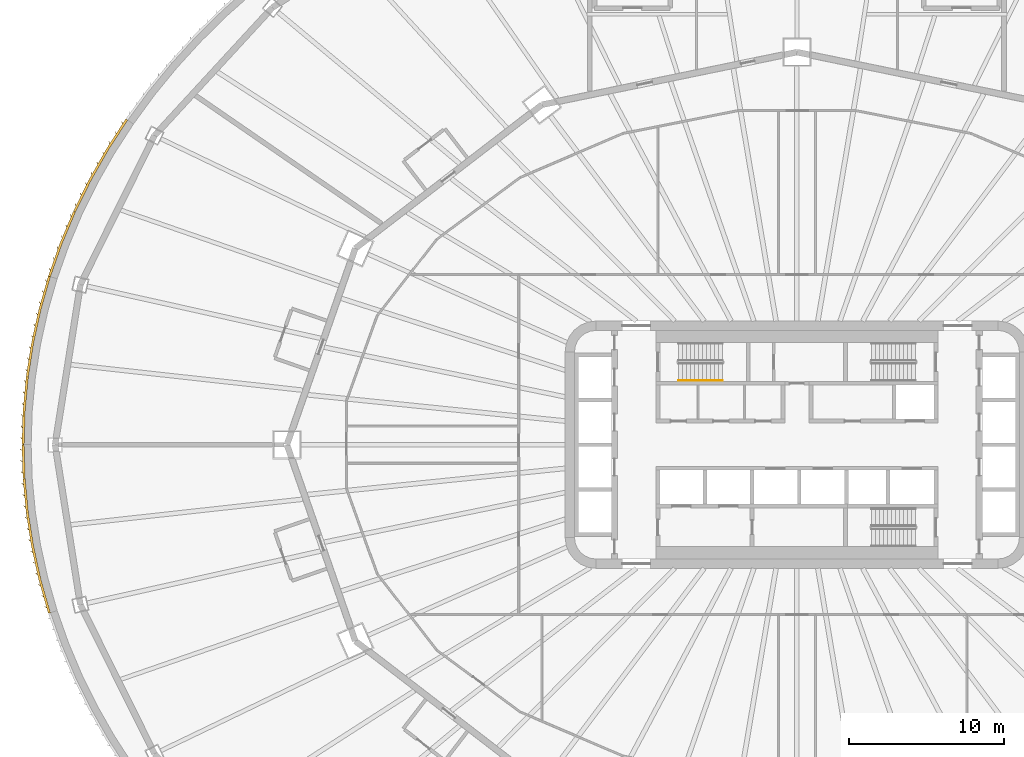
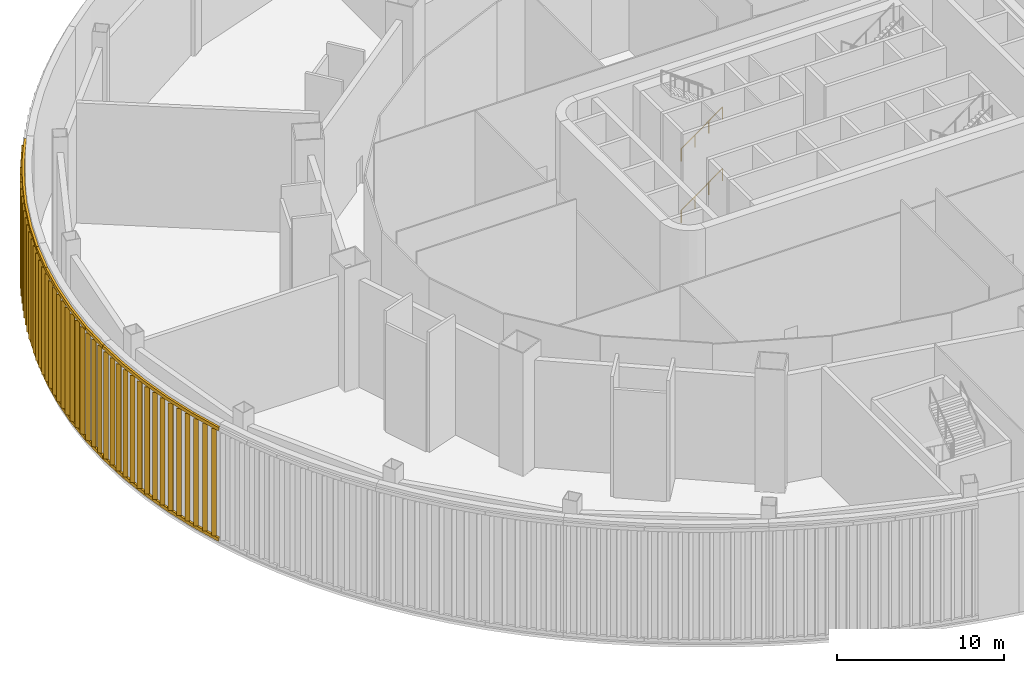
# One storey, part 29 of 35: 3 shading devices, 2 railings.
"""IFC4 building model written with IfcOpenShell, lengths in metres."""

import ifcopenshell
import ifcopenshell.guid

model = None  # the IFC model being written
_history = None  # IfcOwnerHistory: only IFC2X3 demands one
_inside = {}  # id of a spatial element -> (the spatial element, [elements in it])
_under = {}  # id of a project, library or spatial element -> (it, [spatial elements below it])
_declared = {}  # id of a project -> (the project, [libraries it declares])
_typed = {}  # id of a type object -> (the type object, [elements of that type])
_made_of = {}  # id of a material, layer set ... -> (it, [elements and type objects made of it])


def new_model(schema):
    """Start an empty IFC model of exactly this schema.

    Asked for "IFC4X3", IfcOpenShell would pick the latest addendum, in which some entities
    have other attributes; the version numbers below select the first issue.
    IFC2X3 requires an IfcOwnerHistory on every rooted entity: one is made here for all.
    """
    global model, _history
    if schema == "IFC4X3":
        model = ifcopenshell.file(schema_version=(4, 3, 0, 0))
    else:
        model = ifcopenshell.file(schema=schema)
    _inside.clear()
    _under.clear()
    _declared.clear()
    _typed.clear()
    _made_of.clear()
    _history = None
    if model.schema == "IFC2X3":
        org = make("IfcOrganization", Name="unknown")
        user = make(
            "IfcPersonAndOrganization",
            ThePerson=make("IfcPerson", FamilyName="unknown"),
            TheOrganization=org,
        )
        app = make(
            "IfcApplication",
            ApplicationDeveloper=org,
            Version="unknown",
            ApplicationFullName="unknown",
            ApplicationIdentifier="unknown",
        )
        _history = make(
            "IfcOwnerHistory",
            OwningUser=user,
            OwningApplication=app,
            ChangeAction="ADDED",
            CreationDate=0,
        )
    return model


def make(cls, **values):
    """One entity of the class cls with the attributes given. An attribute that is None is left unset."""
    return model.create_entity(
        cls, **{name: value for name, value in values.items() if value is not None}
    )


def rooted(cls, **values):
    """An entity with a GlobalId (a new one), such as an element, a storey or a relation."""
    return make(cls, GlobalId=ifcopenshell.guid.new(), OwnerHistory=_history, **values)


def si_unit(unit_type, name, prefix=None):
    """IfcSIUnit, for example si_unit("LENGTHUNIT", "METRE", prefix="MILLI")."""
    return make("IfcSIUnit", UnitType=unit_type, Prefix=prefix, Name=name)


def assignment(units):
    """IfcUnitAssignment: the units of a project."""
    return None if units is None else make("IfcUnitAssignment", Units=units)


def point(xyz):
    """IfcCartesianPoint."""
    return None if xyz is None else make("IfcCartesianPoint", Coordinates=xyz)


def direction(xyz):
    """IfcDirection."""
    return None if xyz is None else make("IfcDirection", DirectionRatios=xyz)


def frame(location, z_axis=None, x_axis=None):
    """IfcAxis2Placement3D, a coordinate frame: its origin and axes. An axis left out is left unset."""
    return make(
        "IfcAxis2Placement3D",
        Location=point(location),
        Axis=direction(z_axis),
        RefDirection=direction(x_axis),
    )


def frame_2d(location, x_axis=None):
    """IfcAxis2Placement2D, a coordinate frame in the plane: its origin and x axis."""
    return make(
        "IfcAxis2Placement2D", Location=point(location), RefDirection=direction(x_axis)
    )


def origin():
    """The frame at (0, 0, 0) with its axes left unset."""
    return frame((0.0, 0.0, 0.0))


def origin_2d():
    """The frame at (0, 0) in the plane with its x axis left unset."""
    return frame_2d((0.0, 0.0))


def place(relative_to, where):
    """IfcLocalPlacement: puts the frame where relative to a parent placement (None: the world)."""
    return make(
        "IfcLocalPlacement", PlacementRelTo=relative_to, RelativePlacement=where
    )


def context(
    kind, dimensions, precision=None, world=None, true_north=None, identifier=None
):
    """IfcGeometricRepresentationContext, for example the 3D "Model" context."""
    return make(
        "IfcGeometricRepresentationContext",
        ContextIdentifier=identifier,
        ContextType=kind,
        CoordinateSpaceDimension=dimensions,
        Precision=precision,
        WorldCoordinateSystem=world,
        TrueNorth=true_north,
    )


def subcontext(parent, identifier, kind, view, scale=None):
    """IfcGeometricRepresentationSubContext, for example "Body" below "Model"."""
    return make(
        "IfcGeometricRepresentationSubContext",
        ContextIdentifier=identifier,
        ContextType=kind,
        ParentContext=parent,
        TargetScale=scale,
        TargetView=view,
    )


def project(units=None, contexts=None):
    """IfcProject with its units and contexts."""
    return rooted(
        "IfcProject",
        Name="project",
        RepresentationContexts=contexts,
        UnitsInContext=assignment(units),
    )


def spatial(cls, under=None, at=None, **own):
    """A site, building, storey or space (cls), placed at a placement, below another one or the project."""
    s = rooted(cls, ObjectPlacement=at, **own)
    if under is not None:
        _under.setdefault(under.id(), (under, []))[1].append(s)
    return s


def profile(cls, at=None, kind="AREA", **sizes):
    """A parametric profile (cls). Its sizes go by their IFC names, for example OverallWidth=200.0."""
    return make(cls, ProfileType=kind, Position=at, **sizes)


def rectangle(**sizes):
    """IfcRectangleProfileDef."""
    return profile("IfcRectangleProfileDef", **sizes)


def circle(**sizes):
    """IfcCircleProfileDef."""
    return profile("IfcCircleProfileDef", **sizes)


def extrude(swept, where, along, depth):
    """IfcExtrudedAreaSolid: the profile swept, set in the frame where, extruded along a direction by depth."""
    return make(
        "IfcExtrudedAreaSolid",
        SweptArea=swept,
        Position=where,
        ExtrudedDirection=direction(along),
        Depth=depth,
    )


def shape(context_of_items, identifier, shape_type, items):
    """IfcShapeRepresentation: the items that make up one representation, for example the "Body"."""
    return make(
        "IfcShapeRepresentation",
        ContextOfItems=context_of_items,
        RepresentationIdentifier=identifier,
        RepresentationType=shape_type,
        Items=items,
    )


def material(Name=None, Category=None):
    """IfcMaterial."""
    return make("IfcMaterial", Name=Name, Category=Category)


def made_of(thing, what):
    """Note that an element or type object is made of a material, layer set ...; save() writes the relation."""
    if what is not None:
        _made_of.setdefault(what.id(), (what, []))[1].append(thing)
    return thing


def type_object(cls, material=None, **own):
    """A type object (cls), such as IfcWallType, which elements share."""
    return made_of(rooted(cls, **own), material)


def element(
    cls,
    number,
    at=None,
    inside=None,
    cuts=None,
    type_object=None,
    material=None,
    context=None,
    identifier="Body",
    shape_type=None,
    held_by="IfcProductDefinitionShape",
    body=None,
    shapes=None,
    **own,
):
    """One element of the class cls, such as IfcWall. Its Tag is "e" and its number.

    at: its placement. inside: the storey or other place that contains it. cuts: it is an
    opening in that element (IfcRelVoidsElement). A single representation is given by context,
    identifier, shape_type and body (its items); several are given by shapes. held_by: the class
    of the entity that holds the representations. save() writes the other relations.
    """
    e = rooted(cls, Tag="e%d" % number, ObjectPlacement=at, **own)
    if body is not None:
        shapes = [shape(context, identifier, shape_type, body)]
    if shapes is not None:
        e.Representation = make(held_by, Representations=shapes)
    if inside is not None:
        _inside.setdefault(inside.id(), (inside, []))[1].append(e)
    if cuts is not None:
        rooted(
            "IfcRelVoidsElement", RelatingBuildingElement=cuts, RelatedOpeningElement=e
        )
    if type_object is not None:
        _typed.setdefault(type_object.id(), (type_object, []))[1].append(e)
    return made_of(e, material)


def aggregate(whole, parts):
    """IfcRelAggregates: a whole, such as a stair, and the parts it consists of."""
    return rooted("IfcRelAggregates", RelatingObject=whole, RelatedObjects=parts)


def save(model, path):
    """Write the relations noted so far, then the file.

    IfcRelAggregates (storeys below a building ...), IfcRelContainedInSpatialStructure (elements
    in a storey), IfcRelDefinesByType, IfcRelAssociatesMaterial and IfcRelDeclares: one each for
    every whole, place, type object, material and project.
    """
    for whole, parts in _under.values():
        aggregate(whole, parts)
    for where, things in _inside.values():
        rooted(
            "IfcRelContainedInSpatialStructure",
            RelatedElements=things,
            RelatingStructure=where,
        )
    for kind, things in _typed.values():
        rooted("IfcRelDefinesByType", RelatedObjects=things, RelatingType=kind)
    for what, things in _made_of.values():
        rooted("IfcRelAssociatesMaterial", RelatedObjects=things, RelatingMaterial=what)
    for by, libraries in _declared.values():
        rooted("IfcRelDeclares", RelatingContext=by, RelatedDefinitions=libraries)
    model.write(path)


model = new_model("IFC4")

# Units and contexts
model_context = context("Model", 3, precision=1e-05, world=origin(), true_north=direction((0.0, 1.0)))
body_context = subcontext(model_context, "Body", "Model", "MODEL_VIEW")
ifc_project = project(units=[si_unit("LENGTHUNIT", "METRE"), si_unit("AREAUNIT", "SQUARE_METRE"), si_unit("VOLUMEUNIT", "CUBIC_METRE"), si_unit("PLANEANGLEUNIT", "RADIAN"), si_unit("MASSUNIT", "GRAM", prefix="KILO")], contexts=[model_context])

# Site, building, storey
site_placement = place(None, origin())
site = spatial("IfcSite", under=ifc_project, at=site_placement, CompositionType="ELEMENT")
building_placement = place(site_placement, origin())
building = spatial("IfcBuilding", under=site, at=building_placement, Name="Sahrelin Media Tower", CompositionType="ELEMENT")
storey_placement = place(building_placement, frame((0.0, 0.0, 17.0)))
storey = spatial("IfcBuildingStorey", under=building, at=storey_placement, Name="L02", CompositionType="ELEMENT", Elevation=17.0)

# Railings
ifc_material_1 = material(Name="Steel S355", Category="steel")
railing_type = type_object("IfcRailingType", Name="Stair handrail 900", PredefinedType="HANDRAIL", material=ifc_material_1)
for number, where, name in (
    (1, (-7.675048828125, 4.14990234375, 0.1875), "L02 ST1 stair handrail 1"),
    (2, (-7.675048828125, 4.14990234375, 4.6875), "L02 ST1 stair handrail 3"),
):
    element("IfcRailing", number, at=place(storey_placement, frame(where)), inside=storey, type_object=railing_type, Name=name, PredefinedType="HANDRAIL", context=body_context, shape_type="SweptSolid", body=[
        extrude(circle(Radius=0.02392578125, at=origin_2d()), frame((0.0, 0.0, 0.8759765625), z_axis=(0.811100754333, 0.0, 0.584906459462), x_axis=(0.0, 1.0, 0.0)), (0.0, 0.0, 1.0), 3.526123046875),
        extrude(circle(Radius=0.02099609375, at=origin_2d()), origin(), (0.0, 0.0, 1.0), 0.851806640625),
        extrude(circle(Radius=0.02099609375, at=origin_2d()), frame((0.953369140625, 0.0, 0.6875)), (0.0, 0.0, 1.0), 0.851806640625),
        extrude(circle(Radius=0.02099609375, at=origin_2d()), frame((1.90673828125, 0.0, 1.375)), (0.0, 0.0, 1.0), 0.851806640625),
        extrude(circle(Radius=0.02099609375, at=origin_2d()), frame((2.860107421875, 0.0, 2.0625)), (0.0, 0.0, 1.0), 0.851806640625),
    ])

# Shading devices
ifc_material_2 = material(Name="Champagne anodised aluminium 6063-T6", Category="aluminium")
shading_device_type = type_object("IfcShadingDeviceType", Name="Studio facade screen", PredefinedType="USERDEFINED", material=ifc_material_2)
shading_device_1_placement = place(storey_placement, frame((-43.30126953125, 21.0, 0.0), z_axis=(0.0, 0.0, 1.0), x_axis=(0.44228697484, 0.896873587462, 0.0)))
element("IfcShadingDevice", 3, at=shading_device_1_placement, inside=storey, type_object=shading_device_type, Name="L02:SCREEN:L02-P10", ObjectType="SCREEN", PredefinedType="USERDEFINED", context=body_context, shape_type="SweptSolid", body=[
    extrude(rectangle(XDim=0.14990234375, YDim=0.25, at=origin_2d()), frame((0.0087890625, 0.074462890625, 0.35009765625), z_axis=(-0.993314738525, 0.115437559871, 0.0), x_axis=(-0.115437559871, -0.993314738525, 0.0)), (0.0, 0.0, 1.0), 2.301025390625),
    extrude(rectangle(XDim=0.14990234375, YDim=0.25, at=origin_2d()), frame((0.0087890625, 0.074462890625, 8.449951171875), z_axis=(-0.993314738525, 0.115437559871, 0.0), x_axis=(-0.115437559871, -0.993314738525, 0.0)), (0.0, 0.0, 1.0), 2.301025390625),
    extrude(rectangle(XDim=0.300048828125, YDim=0.0400390625, at=origin_2d()), frame((-0.363525390625, 0.193359375, 0.47509765625), z_axis=(0.0, 0.0, 1.0), x_axis=(0.707106781187, 0.707106781187, 0.0)), (0.0, 0.0, 1.0), 7.849853515625),
    extrude(rectangle(XDim=0.300048828125, YDim=0.0400390625, at=origin_2d()), frame((-1.12548828125, 0.28173828125, 0.47509765625), z_axis=(0.0, 0.0, 1.0), x_axis=(0.707106781187, 0.707106781187, 0.0)), (0.0, 0.0, 1.0), 7.849853515625),
    extrude(rectangle(XDim=0.300048828125, YDim=0.0400390625, at=origin_2d()), frame((-1.88720703125, 0.370361328125, 0.47509765625), z_axis=(0.0, 0.0, 1.0), x_axis=(0.707106781187, 0.707106781187, 0.0)), (0.0, 0.0, 1.0), 7.849853515625),
    extrude(rectangle(XDim=0.14990234375, YDim=0.25, at=origin_2d()), frame((-2.28125, 0.340576171875, 0.35009765625), z_axis=(-0.998305220506, 0.058195246459, 0.0), x_axis=(-0.058195246459, -0.998305220506, 0.0)), (0.0, 0.0, 1.0), 2.2822265625),
    extrude(rectangle(XDim=0.14990234375, YDim=0.25, at=origin_2d()), frame((-2.28125, 0.340576171875, 8.449951171875), z_axis=(-0.998305220506, 0.058195246459, 0.0), x_axis=(-0.058195246459, -0.998305220506, 0.0)), (0.0, 0.0, 1.0), 2.2822265625),
    extrude(rectangle(XDim=0.300048828125, YDim=0.0400390625, at=origin_2d()), frame((-2.656494140625, 0.4375, 0.47509765625), z_axis=(0.0, 0.0, 1.0), x_axis=(0.707106781187, 0.707106781187, 0.0)), (0.0, 0.0, 1.0), 7.849853515625),
    extrude(rectangle(XDim=0.300048828125, YDim=0.0400390625, at=origin_2d()), frame((-3.416015625, 0.481689453125, 0.47509765625), z_axis=(0.0, 0.0, 1.0), x_axis=(0.707106781187, 0.707106781187, 0.0)), (0.0, 0.0, 1.0), 7.849853515625),
    extrude(rectangle(XDim=0.300048828125, YDim=0.0400390625, at=origin_2d()), frame((-4.175537109375, 0.526123046875, 0.47509765625), z_axis=(0.0, 0.0, 1.0), x_axis=(0.707106781187, 0.707106781187, 0.0)), (0.0, 0.0, 1.0), 7.849853515625),
    extrude(rectangle(XDim=0.14990234375, YDim=0.25, at=origin_2d()), frame((-4.56396484375, 0.4736328125, 0.35009765625), z_axis=(-1.0, 0.0, 0.0), x_axis=(0.0, -1.0, 0.0)), (0.0, 0.0, 1.0), 2.26513671875),
    extrude(rectangle(XDim=0.14990234375, YDim=0.25, at=origin_2d()), frame((-4.56396484375, 0.4736328125, 8.449951171875), z_axis=(-1.0, 0.0, 0.0), x_axis=(0.0, -1.0, 0.0)), (0.0, 0.0, 1.0), 2.26513671875),
    extrude(rectangle(XDim=0.300048828125, YDim=0.0400390625, at=origin_2d()), frame((-4.94140625, 0.548583984375, 0.47509765625), z_axis=(0.0, 0.0, 1.0), x_axis=(0.707106781187, 0.707106781187, 0.0)), (0.0, 0.0, 1.0), 7.849853515625),
    extrude(rectangle(XDim=0.300048828125, YDim=0.0400390625, at=origin_2d()), frame((-5.696533203125, 0.548583984375, 0.47509765625), z_axis=(0.0, 0.0, 1.0), x_axis=(0.707106781187, 0.707106781187, 0.0)), (0.0, 0.0, 1.0), 7.849853515625),
    extrude(rectangle(XDim=0.300048828125, YDim=0.0400390625, at=origin_2d()), frame((-6.451416015625, 0.548583984375, 0.47509765625), z_axis=(0.0, 0.0, 1.0), x_axis=(0.707106781187, 0.707106781187, 0.0)), (0.0, 0.0, 1.0), 7.849853515625),
    extrude(rectangle(XDim=0.14990234375, YDim=0.25, at=origin_2d()), frame((-6.83349609375, 0.473388671875, 0.35009765625), z_axis=(-0.998255232119, -0.059046520199, 0.0), x_axis=(0.059046520199, -0.998255232119, 0.0)), (0.0, 0.0, 1.0), 2.249267578125),
    extrude(rectangle(XDim=0.14990234375, YDim=0.25, at=origin_2d()), frame((-6.83349609375, 0.473388671875, 8.449951171875), z_axis=(-0.998255232119, -0.059046520199, 0.0), x_axis=(0.059046520199, -0.998255232119, 0.0)), (0.0, 0.0, 1.0), 2.249267578125),
    extrude(rectangle(XDim=0.300048828125, YDim=0.0400390625, at=origin_2d()), frame((-7.212158203125, 0.526123046875, 0.47509765625), z_axis=(0.0, 0.0, 1.0), x_axis=(0.707106781187, 0.707106781187, 0.0)), (0.0, 0.0, 1.0), 7.849853515625),
    extrude(rectangle(XDim=0.300048828125, YDim=0.0400390625, at=origin_2d()), frame((-7.960693359375, 0.481689453125, 0.47509765625), z_axis=(0.0, 0.0, 1.0), x_axis=(0.707106781187, 0.707106781187, 0.0)), (0.0, 0.0, 1.0), 7.849853515625),
    extrude(rectangle(XDim=0.300048828125, YDim=0.0400390625, at=origin_2d()), frame((-8.708984375, 0.4375, 0.47509765625), z_axis=(0.0, 0.0, 1.0), x_axis=(0.707106781187, 0.707106781187, 0.0)), (0.0, 0.0, 1.0), 7.849853515625),
    extrude(rectangle(XDim=0.14990234375, YDim=0.25, at=origin_2d()), frame((-9.08349609375, 0.340087890625, 0.35009765625), z_axis=(-0.992914515953, -0.118830820961, 0.0), x_axis=(0.118830820961, -0.992914515953, 0.0)), (0.0, 0.0, 1.0), 2.2353515625),
    extrude(rectangle(XDim=0.14990234375, YDim=0.25, at=origin_2d()), frame((-9.08349609375, 0.340087890625, 8.449951171875), z_axis=(-0.992914515953, -0.118830820961, 0.0), x_axis=(0.118830820961, -0.992914515953, 0.0)), (0.0, 0.0, 1.0), 2.2353515625),
    extrude(rectangle(XDim=0.300048828125, YDim=0.0400390625, at=origin_2d()), frame((-9.462158203125, 0.370361328125, 0.47509765625), z_axis=(0.0, 0.0, 1.0), x_axis=(0.707106781187, 0.707106781187, 0.0)), (0.0, 0.0, 1.0), 7.849853515625),
    extrude(rectangle(XDim=0.300048828125, YDim=0.0400390625, at=origin_2d()), frame((-10.2021484375, 0.28173828125, 0.47509765625), z_axis=(0.0, 0.0, 1.0), x_axis=(0.707106781187, 0.707106781187, 0.0)), (0.0, 0.0, 1.0), 7.849853515625),
    extrude(rectangle(XDim=0.300048828125, YDim=0.0400390625, at=origin_2d()), frame((-10.942138671875, 0.193115234375, 0.47509765625), z_axis=(0.0, 0.0, 1.0), x_axis=(0.707106781187, 0.707106781187, 0.0)), (0.0, 0.0, 1.0), 7.849853515625),
])
shading_device_2_placement = place(storey_placement, frame((-48.29638671875, 10.870361328125, 0.0), z_axis=(0.0, 0.0, 1.0), x_axis=(0.154807009046, 0.98794473021, 0.0)))
element("IfcShadingDevice", 4, at=shading_device_2_placement, inside=storey, type_object=shading_device_type, Name="L02:SCREEN:L02-P11", ObjectType="SCREEN", PredefinedType="USERDEFINED", context=body_context, shape_type="SweptSolid", body=[
    extrude(rectangle(XDim=0.14990234375, YDim=0.25, at=origin_2d()), frame((0.00927734375, 0.074462890625, 0.35009765625), z_axis=(-0.992452536992, 0.122629367679, 0.0), x_axis=(-0.122629367679, -0.992452536992, 0.0)), (0.0, 0.0, 1.0), 2.223876953125),
    extrude(rectangle(XDim=0.14990234375, YDim=0.25, at=origin_2d()), frame((0.00927734375, 0.074462890625, 8.449951171875), z_axis=(-0.992452536992, 0.122629367679, 0.0), x_axis=(-0.122629367679, -0.992452536992, 0.0)), (0.0, 0.0, 1.0), 2.223876953125),
    extrude(rectangle(XDim=0.300048828125, YDim=0.0400390625, at=origin_2d()), frame((-0.349365234375, 0.1943359375, 0.47509765625), z_axis=(0.0, 0.0, 1.0), x_axis=(0.707106781187, 0.707106781187, 0.0)), (0.0, 0.0, 1.0), 7.849853515625),
    extrude(rectangle(XDim=0.300048828125, YDim=0.0400390625, at=origin_2d()), frame((-1.085205078125, 0.28515625, 0.47509765625), z_axis=(0.0, 0.0, 1.0), x_axis=(0.707106781187, 0.707106781187, 0.0)), (0.0, 0.0, 1.0), 7.849853515625),
    extrude(rectangle(XDim=0.300048828125, YDim=0.0400390625, at=origin_2d()), frame((-1.82080078125, 0.376220703125, 0.47509765625), z_axis=(0.0, 0.0, 1.0), x_axis=(0.707106781187, 0.707106781187, 0.0)), (0.0, 0.0, 1.0), 7.849853515625),
    extrude(rectangle(XDim=0.14990234375, YDim=0.25, at=origin_2d()), frame((-2.202392578125, 0.347412109375, 0.35009765625), z_axis=(-0.998098220265, 0.061643675299, 0.0), x_axis=(-0.061643675299, -0.998098220265, 0.0)), (0.0, 0.0, 1.0), 2.2138671875),
    extrude(rectangle(XDim=0.14990234375, YDim=0.25, at=origin_2d()), frame((-2.202392578125, 0.347412109375, 8.449951171875), z_axis=(-0.998098220265, 0.061643675299, 0.0), x_axis=(-0.061643675299, -0.998098220265, 0.0)), (0.0, 0.0, 1.0), 2.2138671875),
    extrude(rectangle(XDim=0.300048828125, YDim=0.0400390625, at=origin_2d()), frame((-2.56591796875, 0.445068359375, 0.47509765625), z_axis=(0.0, 0.0, 1.0), x_axis=(0.707106781187, 0.707106781187, 0.0)), (0.0, 0.0, 1.0), 7.849853515625),
    extrude(rectangle(XDim=0.300048828125, YDim=0.0400390625, at=origin_2d()), frame((-3.302490234375, 0.490478515625, 0.47509765625), z_axis=(0.0, 0.0, 1.0), x_axis=(0.707106781187, 0.707106781187, 0.0)), (0.0, 0.0, 1.0), 7.849853515625),
    extrude(rectangle(XDim=0.300048828125, YDim=0.0400390625, at=origin_2d()), frame((-4.039306640625, 0.5361328125, 0.47509765625), z_axis=(0.0, 0.0, 1.0), x_axis=(0.707106781187, 0.707106781187, 0.0)), (0.0, 0.0, 1.0), 7.849853515625),
    extrude(rectangle(XDim=0.14990234375, YDim=0.25, at=origin_2d()), frame((-4.416748046875, 0.484130859375, 0.35009765625), z_axis=(-1.0, 0.0, 0.0), x_axis=(0.0, -1.0, 0.0)), (0.0, 0.0, 1.0), 2.20654296875),
    extrude(rectangle(XDim=0.14990234375, YDim=0.25, at=origin_2d()), frame((-4.416748046875, 0.484130859375, 8.449951171875), z_axis=(-1.0, 0.0, 0.0), x_axis=(0.0, -1.0, 0.0)), (0.0, 0.0, 1.0), 2.20654296875),
    extrude(rectangle(XDim=0.300048828125, YDim=0.0400390625, at=origin_2d()), frame((-4.78466796875, 0.55908203125, 0.47509765625), z_axis=(0.0, 0.0, 1.0), x_axis=(0.707106781187, 0.707106781187, 0.0)), (0.0, 0.0, 1.0), 7.849853515625),
    extrude(rectangle(XDim=0.300048828125, YDim=0.0400390625, at=origin_2d()), frame((-5.52001953125, 0.55908203125, 0.47509765625), z_axis=(0.0, 0.0, 1.0), x_axis=(0.707106781187, 0.707106781187, 0.0)), (0.0, 0.0, 1.0), 7.849853515625),
    extrude(rectangle(XDim=0.300048828125, YDim=0.0400390625, at=origin_2d()), frame((-6.255615234375, 0.55908203125, 0.47509765625), z_axis=(0.0, 0.0, 1.0), x_axis=(0.707106781187, 0.707106781187, 0.0)), (0.0, 0.0, 1.0), 7.849853515625),
    extrude(rectangle(XDim=0.14990234375, YDim=0.25, at=origin_2d()), frame((-6.628173828125, 0.48388671875, 0.35009765625), z_axis=(-0.998077094115, -0.061984790091, 0.0), x_axis=(0.061984790091, -0.998077094115, 0.0)), (0.0, 0.0, 1.0), 2.20166015625),
    extrude(rectangle(XDim=0.14990234375, YDim=0.25, at=origin_2d()), frame((-6.628173828125, 0.48388671875, 8.449951171875), z_axis=(-0.998077094115, -0.061984790091, 0.0), x_axis=(0.061984790091, -0.998077094115, 0.0)), (0.0, 0.0, 1.0), 2.20166015625),
    extrude(rectangle(XDim=0.300048828125, YDim=0.0400390625, at=origin_2d()), frame((-6.9990234375, 0.5361328125, 0.47509765625), z_axis=(0.0, 0.0, 1.0), x_axis=(0.707106781187, 0.707106781187, 0.0)), (0.0, 0.0, 1.0), 7.849853515625),
    extrude(rectangle(XDim=0.300048828125, YDim=0.0400390625, at=origin_2d()), frame((-7.7314453125, 0.490478515625, 0.47509765625), z_axis=(0.0, 0.0, 1.0), x_axis=(0.707106781187, 0.707106781187, 0.0)), (0.0, 0.0, 1.0), 7.849853515625),
    extrude(rectangle(XDim=0.300048828125, YDim=0.0400390625, at=origin_2d()), frame((-8.464111328125, 0.445068359375, 0.47509765625), z_axis=(0.0, 0.0, 1.0), x_axis=(0.707106781187, 0.707106781187, 0.0)), (0.0, 0.0, 1.0), 7.849853515625),
    extrude(rectangle(XDim=0.14990234375, YDim=0.25, at=origin_2d()), frame((-8.830078125, 0.34716796875, 0.35009765625), z_axis=(-0.992282999223, -0.123993747638, 0.0), x_axis=(0.123993747638, -0.992282999223, 0.0)), (0.0, 0.0, 1.0), 2.199462890625),
    extrude(rectangle(XDim=0.14990234375, YDim=0.25, at=origin_2d()), frame((-8.830078125, 0.34716796875, 8.449951171875), z_axis=(-0.992282999223, -0.123993747638, 0.0), x_axis=(0.123993747638, -0.992282999223, 0.0)), (0.0, 0.0, 1.0), 2.199462890625),
    extrude(rectangle(XDim=0.300048828125, YDim=0.0400390625, at=origin_2d()), frame((-9.203125, 0.376220703125, 0.47509765625), z_axis=(0.0, 0.0, 1.0), x_axis=(0.707106781187, 0.707106781187, 0.0)), (0.0, 0.0, 1.0), 7.849853515625),
    extrude(rectangle(XDim=0.300048828125, YDim=0.0400390625, at=origin_2d()), frame((-9.9306640625, 0.28515625, 0.47509765625), z_axis=(0.0, 0.0, 1.0), x_axis=(0.707106781187, 0.707106781187, 0.0)), (0.0, 0.0, 1.0), 7.849853515625),
    extrude(rectangle(XDim=0.300048828125, YDim=0.0400390625, at=origin_2d()), frame((-10.657958984375, 0.1943359375, 0.47509765625), z_axis=(0.0, 0.0, 1.0), x_axis=(0.707106781187, 0.707106781187, 0.0)), (0.0, 0.0, 1.0), 7.849853515625),
])
shading_device_3_placement = place(storey_placement, frame((-50.0, 0.0, 0.0), z_axis=(0.0, 0.0, 1.0), x_axis=(-0.154807009046, 0.98794473021, 0.0)))
element("IfcShadingDevice", 5, at=shading_device_3_placement, inside=storey, type_object=shading_device_type, Name="L02:SCREEN:L02-P12", ObjectType="SCREEN", PredefinedType="USERDEFINED", context=body_context, shape_type="SweptSolid", body=[
    extrude(rectangle(XDim=0.14990234375, YDim=0.25, at=origin_2d()), frame((0.00927734375, 0.074462890625, 0.35009765625), z_axis=(-0.992281292284, 0.124007406968, 0.0), x_axis=(-0.124007406968, -0.992281292284, 0.0)), (0.0, 0.0, 1.0), 2.19921875),
    extrude(rectangle(XDim=0.14990234375, YDim=0.25, at=origin_2d()), frame((0.00927734375, 0.074462890625, 8.449951171875), z_axis=(-0.992281292284, 0.124007406968, 0.0), x_axis=(-0.124007406968, -0.992281292284, 0.0)), (0.0, 0.0, 1.0), 2.19921875),
    extrude(rectangle(XDim=0.300048828125, YDim=0.0400390625, at=origin_2d()), frame((-0.34521484375, 0.1943359375, 0.47509765625), z_axis=(0.0, 0.0, 1.0), x_axis=(0.707106781187, 0.707106781187, 0.0)), (0.0, 0.0, 1.0), 7.849853515625),
    extrude(rectangle(XDim=0.300048828125, YDim=0.0400390625, at=origin_2d()), frame((-1.072509765625, 0.28515625, 0.47509765625), z_axis=(0.0, 0.0, 1.0), x_axis=(0.707106781187, 0.707106781187, 0.0)), (0.0, 0.0, 1.0), 7.849853515625),
    extrude(rectangle(XDim=0.300048828125, YDim=0.0400390625, at=origin_2d()), frame((-1.7998046875, 0.376220703125, 0.47509765625), z_axis=(0.0, 0.0, 1.0), x_axis=(0.707106781187, 0.707106781187, 0.0)), (0.0, 0.0, 1.0), 7.849853515625),
    extrude(rectangle(XDim=0.14990234375, YDim=0.25, at=origin_2d()), frame((-2.177490234375, 0.347412109375, 0.35009765625), z_axis=(-0.998077094115, 0.061984790091, 0.0), x_axis=(-0.061984790091, -0.998077094115, 0.0)), (0.0, 0.0, 1.0), 2.20166015625),
    extrude(rectangle(XDim=0.14990234375, YDim=0.25, at=origin_2d()), frame((-2.177490234375, 0.347412109375, 8.449951171875), z_axis=(-0.998077094115, 0.061984790091, 0.0), x_axis=(-0.061984790091, -0.998077094115, 0.0)), (0.0, 0.0, 1.0), 2.20166015625),
    extrude(rectangle(XDim=0.300048828125, YDim=0.0400390625, at=origin_2d()), frame((-2.5390625, 0.445068359375, 0.47509765625), z_axis=(0.0, 0.0, 1.0), x_axis=(0.707106781187, 0.707106781187, 0.0)), (0.0, 0.0, 1.0), 7.849853515625),
    extrude(rectangle(XDim=0.300048828125, YDim=0.0400390625, at=origin_2d()), frame((-3.271484375, 0.490478515625, 0.47509765625), z_axis=(0.0, 0.0, 1.0), x_axis=(0.707106781187, 0.707106781187, 0.0)), (0.0, 0.0, 1.0), 7.849853515625),
    extrude(rectangle(XDim=0.300048828125, YDim=0.0400390625, at=origin_2d()), frame((-4.004150390625, 0.5361328125, 0.47509765625), z_axis=(0.0, 0.0, 1.0), x_axis=(0.707106781187, 0.707106781187, 0.0)), (0.0, 0.0, 1.0), 7.849853515625),
    extrude(rectangle(XDim=0.14990234375, YDim=0.25, at=origin_2d()), frame((-4.379638671875, 0.484130859375, 0.35009765625), z_axis=(-1.0, 0.0, 0.0), x_axis=(0.0, -1.0, 0.0)), (0.0, 0.0, 1.0), 2.20654296875),
    extrude(rectangle(XDim=0.14990234375, YDim=0.25, at=origin_2d()), frame((-4.379638671875, 0.484130859375, 8.449951171875), z_axis=(-1.0, 0.0, 0.0), x_axis=(0.0, -1.0, 0.0)), (0.0, 0.0, 1.0), 2.20654296875),
    extrude(rectangle(XDim=0.300048828125, YDim=0.0400390625, at=origin_2d()), frame((-4.747314453125, 0.55908203125, 0.47509765625), z_axis=(0.0, 0.0, 1.0), x_axis=(0.707106781187, 0.707106781187, 0.0)), (0.0, 0.0, 1.0), 7.849853515625),
    extrude(rectangle(XDim=0.300048828125, YDim=0.0400390625, at=origin_2d()), frame((-5.48291015625, 0.55908203125, 0.47509765625), z_axis=(0.0, 0.0, 1.0), x_axis=(0.707106781187, 0.707106781187, 0.0)), (0.0, 0.0, 1.0), 7.849853515625),
    extrude(rectangle(XDim=0.300048828125, YDim=0.0400390625, at=origin_2d()), frame((-6.218505859375, 0.55908203125, 0.47509765625), z_axis=(0.0, 0.0, 1.0), x_axis=(0.707106781187, 0.707106781187, 0.0)), (0.0, 0.0, 1.0), 7.849853515625),
    extrude(rectangle(XDim=0.14990234375, YDim=0.25, at=origin_2d()), frame((-6.5908203125, 0.48388671875, 0.35009765625), z_axis=(-0.998098639234, -0.061636891221, 0.0), x_axis=(0.061636891221, -0.998098639234, 0.0)), (0.0, 0.0, 1.0), 2.214111328125),
    extrude(rectangle(XDim=0.14990234375, YDim=0.25, at=origin_2d()), frame((-6.5908203125, 0.48388671875, 8.449951171875), z_axis=(-0.998098639234, -0.061636891221, 0.0), x_axis=(0.061636891221, -0.998098639234, 0.0)), (0.0, 0.0, 1.0), 2.214111328125),
    extrude(rectangle(XDim=0.300048828125, YDim=0.0400390625, at=origin_2d()), frame((-6.9638671875, 0.5361328125, 0.47509765625), z_axis=(0.0, 0.0, 1.0), x_axis=(0.707106781187, 0.707106781187, 0.0)), (0.0, 0.0, 1.0), 7.849853515625),
    extrude(rectangle(XDim=0.300048828125, YDim=0.0400390625, at=origin_2d()), frame((-7.700439453125, 0.490478515625, 0.47509765625), z_axis=(0.0, 0.0, 1.0), x_axis=(0.707106781187, 0.707106781187, 0.0)), (0.0, 0.0, 1.0), 7.849853515625),
    extrude(rectangle(XDim=0.300048828125, YDim=0.0400390625, at=origin_2d()), frame((-8.43701171875, 0.445068359375, 0.47509765625), z_axis=(0.0, 0.0, 1.0), x_axis=(0.707106781187, 0.707106781187, 0.0)), (0.0, 0.0, 1.0), 7.849853515625),
    extrude(rectangle(XDim=0.14990234375, YDim=0.25, at=origin_2d()), frame((-8.805419921875, 0.34716796875, 0.35009765625), z_axis=(-0.992450885786, -0.122642730327, 0.0), x_axis=(0.122642730327, -0.992450885786, 0.0)), (0.0, 0.0, 1.0), 2.2236328125),
    extrude(rectangle(XDim=0.14990234375, YDim=0.25, at=origin_2d()), frame((-8.805419921875, 0.34716796875, 8.449951171875), z_axis=(-0.992450885786, -0.122642730327, 0.0), x_axis=(0.122642730327, -0.992450885786, 0.0)), (0.0, 0.0, 1.0), 2.2236328125),
    extrude(rectangle(XDim=0.300048828125, YDim=0.0400390625, at=origin_2d()), frame((-9.182373046875, 0.376220703125, 0.47509765625), z_axis=(0.0, 0.0, 1.0), x_axis=(0.707106781187, 0.707106781187, 0.0)), (0.0, 0.0, 1.0), 7.849853515625),
    extrude(rectangle(XDim=0.300048828125, YDim=0.0400390625, at=origin_2d()), frame((-9.91796875, 0.28515625, 0.47509765625), z_axis=(0.0, 0.0, 1.0), x_axis=(0.707106781187, 0.707106781187, 0.0)), (0.0, 0.0, 1.0), 7.849853515625),
    extrude(rectangle(XDim=0.300048828125, YDim=0.0400390625, at=origin_2d()), frame((-10.65380859375, 0.1943359375, 0.47509765625), z_axis=(0.0, 0.0, 1.0), x_axis=(0.707106781187, 0.707106781187, 0.0)), (0.0, 0.0, 1.0), 7.849853515625),
])

save(model, "model.ifc")
